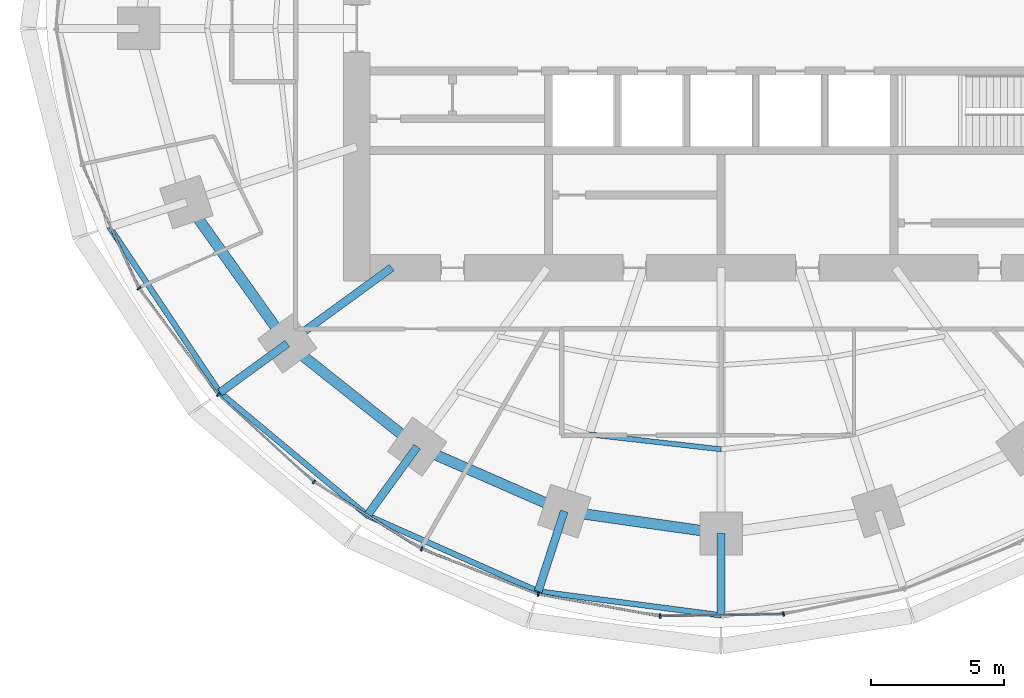
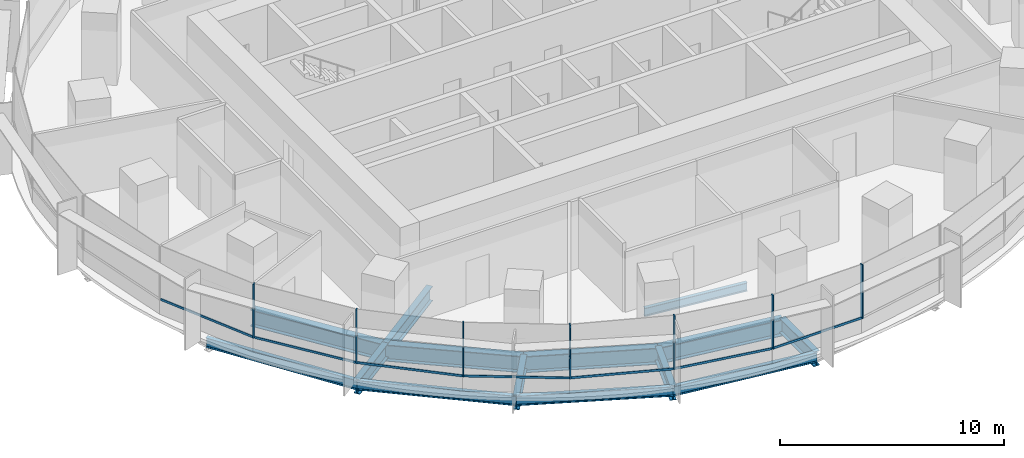
# One storey, part 2 of 14: 14 beams, 14 members, 2 elements without a shape of their own.
"""IFC4 building model written with IfcOpenShell, lengths in metres."""

from ifc_helpers import new_model, si_unit, direction, frame, origin, origin_2d, place, context, subcontext, project, spatial, rectangle, i_section, extrude, material, material_profile, profile_set, type_object, element, aggregate, save


model = new_model("IFC4")

# Units and contexts
model_context = context("Model", 3, precision=1e-05, world=origin(), true_north=direction((0.0, 1.0)))
body_context = subcontext(model_context, "Body", "Model", "MODEL_VIEW")
ifc_project = project(units=[si_unit("LENGTHUNIT", "METRE"), si_unit("AREAUNIT", "SQUARE_METRE"), si_unit("VOLUMEUNIT", "CUBIC_METRE"), si_unit("PLANEANGLEUNIT", "RADIAN"), si_unit("MASSUNIT", "GRAM", prefix="KILO")], contexts=[model_context])

# Site, building, storey
site_placement = place(None, origin())
site = spatial("IfcSite", under=ifc_project, at=site_placement, CompositionType="ELEMENT")
building_placement = place(site_placement, origin())
building = spatial("IfcBuilding", under=site, at=building_placement, Name="Marramba Exchange Tower", CompositionType="ELEMENT")
storey_placement = place(building_placement, frame((0.0, 0.0, 115.800048828125)))
storey = spatial("IfcBuildingStorey", under=building, at=storey_placement, Name="L27", CompositionType="ELEMENT", Elevation=115.800048828125)

# Beams
ifc_material_1 = material(Name="Steel AS/NZS 3679.2 grade 300", Category="steel")
ifc_material_profile_1 = material_profile(ifc_material_1, i_section(OverallWidth=0.300048828125, OverallDepth=0.800048828125, WebThickness=0.013916015625, FlangeThickness=0.031982421875, at=origin_2d()), Name="800WB192")
ifc_profile_set_1 = profile_set([ifc_material_profile_1], Name="Steel AS/NZS 3679.2 grade 300")
beam_type_1 = type_object("IfcBeamType", Name="Cantilever girder 800WB192", PredefinedType="BEAM", material=ifc_profile_set_1)
beam_1_placement = place(storey_placement, frame((-16.3154296875, -11.853759765625, -0.56005859375), z_axis=(-0.809025813822, -0.587773113173, 0.0), x_axis=(0.587773113173, -0.809025813822, 0.0)))
element("IfcBeam", 1, at=beam_1_placement, inside=storey, type_object=beam_type_1, Name="Cantilever girder L27 TC13", PredefinedType="BEAM", context=body_context, shape_type="SweptSolid", body=[
    extrude(i_section(OverallWidth=0.300048828125, OverallDepth=0.800048828125, WebThickness=0.013916015625, FlangeThickness=0.031982421875, at=origin_2d()), origin(), (0.0, 0.0, 1.0), 3.132568359375),
])
beam_2_placement = place(storey_placement, frame((-11.430419921875, -15.732666015625, -0.56005859375), z_axis=(-0.587767308424, -0.809030031054, 0.0), x_axis=(0.809030031054, -0.587767308424, 0.0)))
element("IfcBeam", 2, at=beam_2_placement, inside=storey, type_object=beam_type_1, Name="Cantilever girder L27 TC14", PredefinedType="BEAM", context=body_context, shape_type="SweptSolid", body=[
    extrude(i_section(OverallWidth=0.300048828125, OverallDepth=0.800048828125, WebThickness=0.013916015625, FlangeThickness=0.031982421875, at=origin_2d()), origin(), (0.0, 0.0, 1.0), 3.195556640625),
])
beam_3_placement = place(storey_placement, frame((-5.899658203125, -18.156982421875, -0.56005859375), z_axis=(-0.309018232614, -0.951056113966, 0.0), x_axis=(0.951056113966, -0.309018232614, 0.0)))
element("IfcBeam", 3, at=beam_3_placement, inside=storey, type_object=beam_type_1, Name="Cantilever girder L27 TC15", PredefinedType="BEAM", context=body_context, shape_type="SweptSolid", body=[
    extrude(i_section(OverallWidth=0.300048828125, OverallDepth=0.800048828125, WebThickness=0.013916015625, FlangeThickness=0.031982421875, at=origin_2d()), origin(), (0.0, 0.0, 1.0), 3.173583984375),
])
beam_4_placement = place(storey_placement, frame((0.0, -18.99609375, -0.56005859375), z_axis=(0.0, -1.0, 0.0), x_axis=(1.0, 0.0, 0.0)))
element("IfcBeam", 4, at=beam_4_placement, inside=storey, type_object=beam_type_1, Name="Cantilever girder L27 TC16", PredefinedType="BEAM", context=body_context, shape_type="SweptSolid", body=[
    extrude(i_section(OverallWidth=0.300048828125, OverallDepth=0.800048828125, WebThickness=0.013916015625, FlangeThickness=0.031982421875, at=origin_2d()), origin(), (0.0, 0.0, 1.0), 3.080810546875),
])
ifc_material_2 = material(Name="Steel AS/NZS 3679.1 grade 300", Category="steel")
ifc_material_profile_2 = material_profile(ifc_material_2, i_section(OverallWidth=0.18994140625, OverallDepth=0.4541015625, WebThickness=0.008544921875, FlangeThickness=0.0126953125, FilletRadius=0.011474609375, at=origin_2d()), Name="460UB67.1")
ifc_profile_set_2 = profile_set([ifc_material_profile_2], Name="Steel AS/NZS 3679.1 grade 300")
beam_type_2 = type_object("IfcBeamType", Name="Floor joist 460UB67.1", PredefinedType="JOIST", material=ifc_profile_set_2)
beam_5_placement = place(storey_placement, frame((-4.9619140625, -15.271484375, -0.386962890625), z_axis=(0.993712018573, -0.111966174106, 0.0), x_axis=(0.111966174106, 0.993712018573, 0.0)))
element("IfcBeam", 5, at=beam_5_placement, inside=storey, type_object=beam_type_2, Name="Joist L27 bay 15 row 2", PredefinedType="JOIST", context=body_context, shape_type="SweptSolid", body=[
    extrude(i_section(OverallWidth=0.18994140625, OverallDepth=0.4541015625, WebThickness=0.008544921875, FlangeThickness=0.0126953125, FilletRadius=0.011474609375, at=origin_2d()), origin(), (0.0, 0.0, 1.0), 4.993408203125),
])

# Curtain wall, members
ifc_material_3 = material(Name="Aluminium framing, bronze anodised", Category="aluminium")
curtain_wall_type = type_object("IfcCurtainWallType", Name="Office ribbon curtain wall", PredefinedType="USERDEFINED", material=ifc_material_3)
curtain_wall_1_placement = place(storey_placement, origin())
curtain_wall_1 = element("IfcCurtainWall", 6, at=curtain_wall_1_placement, inside=storey, type_object=curtain_wall_type, Name="Curtain wall CW4 L27 F16-F20", ObjectType="RIBBON CURTAIN WALL", PredefinedType="USERDEFINED")
ifc_material_4 = material(Name="Aluminium mullion, bronze anodised", Category="aluminium")
ifc_material_profile_3 = material_profile(ifc_material_4, rectangle(XDim=0.159912109375, YDim=0.06005859375, at=origin_2d()), Name="CW4 mullion 60x160")
ifc_profile_set_3 = profile_set([ifc_material_profile_3], Name="Aluminium mullion, bronze anodised")
member_type_1 = type_object("IfcMemberType", Name="Office ribbon curtain wall mullion", PredefinedType="MULLION", material=ifc_profile_set_3)
member_1_placement = place(storey_placement, frame((-21.891357421875, -9.778564453125, 0.800048828125), z_axis=(0.0, 0.0, 1.0), x_axis=(0.802014400683, 0.597304697033, 0.0)))
member_1 = element("IfcMember", 7, at=member_1_placement, type_object=member_type_1, Name="CW4 mullion 1", PredefinedType="MULLION", context=body_context, shape_type="SweptSolid", body=[
    extrude(rectangle(XDim=0.159912109375, YDim=0.06005859375, at=origin_2d()), origin(), (0.0, 0.0, 1.0), 2.93994140625),
])
member_2_placement = place(storey_placement, frame((-18.90869140625, -13.774169921875, 0.800048828125), z_axis=(0.0, 0.0, 1.0), x_axis=(0.674995455115, 0.737821886077, 0.0)))
member_2 = element("IfcMember", 8, at=member_2_placement, type_object=member_type_1, Name="CW4 mullion 1", PredefinedType="MULLION", context=body_context, shape_type="SweptSolid", body=[
    extrude(rectangle(XDim=0.159912109375, YDim=0.06005859375, at=origin_2d()), origin(), (0.0, 0.0, 1.0), 2.93994140625),
])
member_3_placement = place(storey_placement, frame((-15.315673828125, -17.053955078125, 0.800048828125), z_axis=(0.0, 0.0, 1.0), x_axis=(0.52942844364, 0.84835459748, 0.0)))
member_3 = element("IfcMember", 9, at=member_3_placement, type_object=member_type_1, Name="CW4 mullion 1", PredefinedType="MULLION", context=body_context, shape_type="SweptSolid", body=[
    extrude(rectangle(XDim=0.159912109375, YDim=0.06005859375, at=origin_2d()), origin(), (0.0, 0.0, 1.0), 2.93994140625),
])

curtain_wall_2_placement = place(storey_placement, origin())
curtain_wall_2 = element("IfcCurtainWall", 10, at=curtain_wall_2_placement, inside=storey, type_object=curtain_wall_type, Name="Curtain wall CW4 L27 F21-F25", ObjectType="RIBBON CURTAIN WALL", PredefinedType="USERDEFINED")
member_4_placement = place(storey_placement, frame((-11.266845703125, -19.573974609375, 0.800048828125), z_axis=(0.0, 0.0, 1.0), x_axis=(0.36292490603, 0.931818390344, 0.0)))
member_4 = element("IfcMember", 11, at=member_4_placement, type_object=member_type_1, Name="CW4 mullion 1", PredefinedType="MULLION", context=body_context, shape_type="SweptSolid", body=[
    extrude(rectangle(XDim=0.159912109375, YDim=0.06005859375, at=origin_2d()), origin(), (0.0, 0.0, 1.0), 2.93994140625),
])
member_5_placement = place(storey_placement, frame((-6.881591796875, -21.27587890625, 0.800048828125), z_axis=(0.0, 0.0, 1.0), x_axis=(0.177992379115, 0.984031865834, 0.0)))
member_5 = element("IfcMember", 12, at=member_5_placement, type_object=member_type_1, Name="CW4 mullion 1", PredefinedType="MULLION", context=body_context, shape_type="SweptSolid", body=[
    extrude(rectangle(XDim=0.159912109375, YDim=0.06005859375, at=origin_2d()), origin(), (0.0, 0.0, 1.0), 2.93994140625),
])
member_6_placement = place(storey_placement, frame((-2.292724609375, -22.099853515625, 0.800048828125), z_axis=(0.0, 0.0, 1.0), x_axis=(-0.015178646521, 0.999884797709, 0.0)))
member_6 = element("IfcMember", 13, at=member_6_placement, type_object=member_type_1, Name="CW4 mullion 1", PredefinedType="MULLION", context=body_context, shape_type="SweptSolid", body=[
    extrude(rectangle(XDim=0.159912109375, YDim=0.06005859375, at=origin_2d()), origin(), (0.0, 0.0, 1.0), 2.93994140625),
])
member_7_placement = place(storey_placement, frame((2.3447265625, -22.02392578125, 0.800048828125), z_axis=(0.0, 0.0, 1.0), x_axis=(-0.202364850159, 0.979310199794, 0.0)))
member_7 = element("IfcMember", 14, at=member_7_placement, type_object=member_type_1, Name="CW4 mullion 1", PredefinedType="MULLION", context=body_context, shape_type="SweptSolid", body=[
    extrude(rectangle(XDim=0.159912109375, YDim=0.06005859375, at=origin_2d()), origin(), (0.0, 0.0, 1.0), 2.93994140625),
])

# Member
ifc_material_5 = material(Name="Aluminium transom, bronze anodised", Category="aluminium")
ifc_material_profile_4 = material_profile(ifc_material_5, rectangle(XDim=0.06005859375, YDim=0.1201171875, at=origin_2d()), Name="CW4 transom 60x120")
ifc_profile_set_4 = profile_set([ifc_material_profile_4], Name="Aluminium transom, bronze anodised")
member_type_2 = type_object("IfcMemberType", Name="Office ribbon curtain wall transom", PredefinedType="USERDEFINED", material=ifc_profile_set_4)
member_8_placement = place(storey_placement, frame((-24.013671875, -5.1640625, 0.829833984375), z_axis=(0.416732948599, -0.909028959688, 0.0), x_axis=(0.909028959688, 0.416732948599, 0.0)))
member_8 = element("IfcMember", 15, at=member_8_placement, type_object=member_type_2, Name="CW4 sill transom", ObjectType="TRANSOM", PredefinedType="USERDEFINED", context=body_context, shape_type="SweptSolid", body=[
    extrude(rectangle(XDim=0.06005859375, YDim=0.1201171875, at=origin_2d()), origin(), (0.0, 0.0, 1.0), 5.050048828125),
])

member_9_placement = place(storey_placement, frame((-21.873291015625, -9.802734375, 0.829833984375), z_axis=(0.597300736643, -0.80201735019, 0.0), x_axis=(0.80201735019, 0.597300736643, 0.0)))
member_9 = element("IfcMember", 16, at=member_9_placement, type_object=member_type_2, Name="CW4 sill transom", ObjectType="TRANSOM", PredefinedType="USERDEFINED", context=body_context, shape_type="SweptSolid", body=[
    extrude(rectangle(XDim=0.06005859375, YDim=0.1201171875, at=origin_2d()), origin(), (0.0, 0.0, 1.0), 4.926513671875),
])

member_10_placement = place(storey_placement, frame((-18.886474609375, -13.79443359375, 0.829833984375), z_axis=(0.737807565469, -0.675011108306, 0.0), x_axis=(0.675011108306, 0.737807565469, 0.0)))
member_10 = element("IfcMember", 17, at=member_10_placement, type_object=member_type_2, Name="CW4 sill transom", ObjectType="TRANSOM", PredefinedType="USERDEFINED", context=body_context, shape_type="SweptSolid", body=[
    extrude(rectangle(XDim=0.06005859375, YDim=0.1201171875, at=origin_2d()), origin(), (0.0, 0.0, 1.0), 4.805419921875),
])

member_11_placement = place(storey_placement, frame((-15.2900390625, -17.06982421875, 0.829833984375), z_axis=(0.848373790728, -0.529397687193, 0.0), x_axis=(0.529397687193, 0.848373790728, 0.0)))
member_11 = element("IfcMember", 18, at=member_11_placement, type_object=member_type_2, Name="CW4 sill transom", ObjectType="TRANSOM", PredefinedType="USERDEFINED", context=body_context, shape_type="SweptSolid", body=[
    extrude(rectangle(XDim=0.06005859375, YDim=0.1201171875, at=origin_2d()), origin(), (0.0, 0.0, 1.0), 4.70947265625),
])

aggregate(curtain_wall_1, [member_8, member_1, member_9, member_2, member_10, member_3, member_11])

member_12_placement = place(storey_placement, frame((-11.23876953125, -19.5849609375, 0.829833984375), z_axis=(0.931817106708, -0.362928201778, 0.0), x_axis=(0.362928201778, 0.931817106708, 0.0)))
member_12 = element("IfcMember", 19, at=member_12_placement, type_object=member_type_2, Name="CW4 sill transom", ObjectType="TRANSOM", PredefinedType="USERDEFINED", context=body_context, shape_type="SweptSolid", body=[
    extrude(rectangle(XDim=0.06005859375, YDim=0.1201171875, at=origin_2d()), origin(), (0.0, 0.0, 1.0), 4.644287109375),
])

member_13_placement = place(storey_placement, frame((-6.85205078125, -21.281005859375, 0.829833984375), z_axis=(0.98402906811, -0.178007845654, 0.0), x_axis=(0.178007845654, 0.98402906811, 0.0)))
member_13 = element("IfcMember", 20, at=member_13_placement, type_object=member_type_2, Name="CW4 sill transom", ObjectType="TRANSOM", PredefinedType="USERDEFINED", context=body_context, shape_type="SweptSolid", body=[
    extrude(rectangle(XDim=0.06005859375, YDim=0.1201171875, at=origin_2d()), origin(), (0.0, 0.0, 1.0), 4.602783203125),
])

member_14_placement = place(storey_placement, frame((-2.262939453125, -22.099365234375, 0.829833984375), z_axis=(0.999885345665, 0.015142507235, 0.0), x_axis=(-0.015142507235, 0.999885345665, 0.0)))
member_14 = element("IfcMember", 21, at=member_14_placement, type_object=member_type_2, Name="CW4 sill transom", ObjectType="TRANSOM", PredefinedType="USERDEFINED", context=body_context, shape_type="SweptSolid", body=[
    extrude(rectangle(XDim=0.06005859375, YDim=0.1201171875, at=origin_2d()), origin(), (0.0, 0.0, 1.0), 4.578857421875),
])

aggregate(curtain_wall_2, [member_4, member_12, member_5, member_13, member_6, member_14, member_7])

# Beams
ifc_material_profile_5 = material_profile(ifc_material_1, i_section(OverallWidth=0.300048828125, OverallDepth=0.800048828125, WebThickness=0.013916015625, FlangeThickness=0.031982421875, at=origin_2d()), Name="800WB192")
ifc_profile_set_5 = profile_set([ifc_material_profile_5], Name="Steel AS/NZS 3679.2 grade 300")
beam_type_3 = type_object("IfcBeamType", Name="Radial girder 800WB192", PredefinedType="BEAM", material=ifc_profile_set_5)
beam_6_placement = place(storey_placement, frame((-12.387451171875, -9.0, -0.56005859375), z_axis=(-0.809025189606, -0.58777397236, 0.0), x_axis=(0.58777397236, -0.809025189606, 0.0)))
element("IfcBeam", 22, at=beam_6_placement, inside=storey, type_object=beam_type_3, Name="Radial girder L27 TC13", PredefinedType="BEAM", context=body_context, shape_type="SweptSolid", body=[
    extrude(i_section(OverallWidth=0.300048828125, OverallDepth=0.800048828125, WebThickness=0.013916015625, FlangeThickness=0.031982421875, at=origin_2d()), origin(), (0.0, 0.0, 1.0), 4.855224609375),
])
ifc_material_profile_6 = material_profile(ifc_material_1, i_section(OverallWidth=0.39990234375, OverallDepth=0.89990234375, WebThickness=0.01611328125, FlangeThickness=0.031982421875, at=origin_2d()), Name="900WB282")
ifc_profile_set_6 = profile_set([ifc_material_profile_6], Name="Steel AS/NZS 3679.2 grade 300")
beam_type_4 = type_object("IfcBeamType", Name="Ring beam 900WB282", PredefinedType="SPANDREL", material=ifc_profile_set_6)
beam_7_placement = place(storey_placement, frame((-20.109375, -6.533935546875, -0.610107421875), z_axis=(0.580637181111, -0.814162430914, 0.0), x_axis=(0.814162430914, 0.580637181111, 0.0)))
element("IfcBeam", 23, at=beam_7_placement, inside=storey, type_object=beam_type_4, Name="Ring beam L27 TC12-TC13", PredefinedType="SPANDREL", context=body_context, shape_type="SweptSolid", body=[
    extrude(i_section(OverallWidth=0.39990234375, OverallDepth=0.89990234375, WebThickness=0.01611328125, FlangeThickness=0.031982421875, at=origin_2d()), origin(), (0.0, 0.0, 1.0), 6.5341796875),
])
beam_8_placement = place(storey_placement, frame((-16.3154296875, -11.853759765625, -0.610107421875), z_axis=(0.783139438128, -0.621846138887, 0.0), x_axis=(0.621846138887, 0.783139438128, 0.0)))
element("IfcBeam", 24, at=beam_8_placement, inside=storey, type_object=beam_type_4, Name="Ring beam L27 TC13-TC14", PredefinedType="SPANDREL", context=body_context, shape_type="SweptSolid", body=[
    extrude(i_section(OverallWidth=0.39990234375, OverallDepth=0.89990234375, WebThickness=0.01611328125, FlangeThickness=0.031982421875, at=origin_2d()), origin(), (0.0, 0.0, 1.0), 6.23779296875),
])
beam_9_placement = place(storey_placement, frame((-11.430419921875, -15.732666015625, -0.610107421875), z_axis=(0.915876892158, -0.4014592363, 0.0), x_axis=(0.4014592363, 0.915876892158, 0.0)))
element("IfcBeam", 25, at=beam_9_placement, inside=storey, type_object=beam_type_4, Name="Ring beam L27 TC14-TC15", PredefinedType="SPANDREL", context=body_context, shape_type="SweptSolid", body=[
    extrude(i_section(OverallWidth=0.39990234375, OverallDepth=0.89990234375, WebThickness=0.01611328125, FlangeThickness=0.031982421875, at=origin_2d()), origin(), (0.0, 0.0, 1.0), 6.038818359375),
])
beam_10_placement = place(storey_placement, frame((-5.899658203125, -18.156982421875, -0.610107421875), z_axis=(0.990036163016, -0.140813337152, 0.0), x_axis=(0.140813337152, 0.990036163016, 0.0)))
element("IfcBeam", 26, at=beam_10_placement, inside=storey, type_object=beam_type_4, Name="Ring beam L27 TC15-TC16", PredefinedType="SPANDREL", context=body_context, shape_type="SweptSolid", body=[
    extrude(i_section(OverallWidth=0.39990234375, OverallDepth=0.89990234375, WebThickness=0.01611328125, FlangeThickness=0.031982421875, at=origin_2d()), origin(), (0.0, 0.0, 1.0), 5.958984375),
])
ifc_material_profile_7 = material_profile(ifc_material_2, i_section(OverallWidth=0.208984375, OverallDepth=0.528076171875, WebThickness=0.009521484375, FlangeThickness=0.01318359375, FilletRadius=0.013916015625, at=origin_2d()), Name="530UB82.0")
ifc_profile_set_7 = profile_set([ifc_material_profile_7], Name="Steel AS/NZS 3679.1 grade 300")
beam_type_5 = type_object("IfcBeamType", Name="Slab edge beam 530UB82.0", PredefinedType="SPANDREL", material=ifc_profile_set_7)
beam_11_placement = place(storey_placement, frame((-23.00341796875, -7.47412109375, -0.424072265625), z_axis=(0.555280023791, -0.831663450669, 0.0), x_axis=(0.831663450669, 0.555280023791, 0.0)))
element("IfcBeam", 27, at=beam_11_placement, inside=storey, type_object=beam_type_5, Name="Slab edge beam L27 TC12-TC13", PredefinedType="SPANDREL", context=body_context, shape_type="SweptSolid", body=[
    extrude(i_section(OverallWidth=0.208984375, OverallDepth=0.528076171875, WebThickness=0.009521484375, FlangeThickness=0.01318359375, FilletRadius=0.013916015625, at=origin_2d()), origin(), (0.0, 0.0, 1.0), 7.480224609375),
])
beam_12_placement = place(storey_placement, frame((-18.849853515625, -13.695068359375, -0.424072265625), z_axis=(0.767874532322, -0.640600267415, 0.0), x_axis=(0.640600267415, 0.767874532322, 0.0)))
element("IfcBeam", 28, at=beam_12_placement, inside=storey, type_object=beam_type_5, Name="Slab edge beam L27 TC13-TC14", PredefinedType="SPANDREL", context=body_context, shape_type="SweptSolid", body=[
    extrude(i_section(OverallWidth=0.208984375, OverallDepth=0.528076171875, WebThickness=0.009521484375, FlangeThickness=0.01318359375, FilletRadius=0.013916015625, at=origin_2d()), origin(), (0.0, 0.0, 1.0), 7.21630859375),
])
beam_13_placement = place(storey_placement, frame((-13.30859375, -18.31787109375, -0.424072265625), z_axis=(0.913788648873, -0.406189986571, 0.0), x_axis=(0.406189986571, 0.913788648873, 0.0)))
element("IfcBeam", 29, at=beam_13_placement, inside=storey, type_object=beam_type_5, Name="Slab edge beam L27 TC14-TC15", PredefinedType="SPANDREL", context=body_context, shape_type="SweptSolid", body=[
    extrude(i_section(OverallWidth=0.208984375, OverallDepth=0.528076171875, WebThickness=0.009521484375, FlangeThickness=0.01318359375, FilletRadius=0.013916015625, at=origin_2d()), origin(), (0.0, 0.0, 1.0), 7.03466796875),
])
beam_14_placement = place(storey_placement, frame((-6.88037109375, -21.17529296875, -0.424072265625), z_axis=(0.991523133546, -0.129930272237, 0.0), x_axis=(0.129930272237, 0.991523133546, 0.0)))
element("IfcBeam", 30, at=beam_14_placement, inside=storey, type_object=beam_type_5, Name="Slab edge beam L27 TC15-TC16", PredefinedType="SPANDREL", context=body_context, shape_type="SweptSolid", body=[
    extrude(i_section(OverallWidth=0.208984375, OverallDepth=0.528076171875, WebThickness=0.009521484375, FlangeThickness=0.01318359375, FilletRadius=0.013916015625, at=origin_2d()), origin(), (0.0, 0.0, 1.0), 6.939208984375),
])

save(model, "model.ifc")
